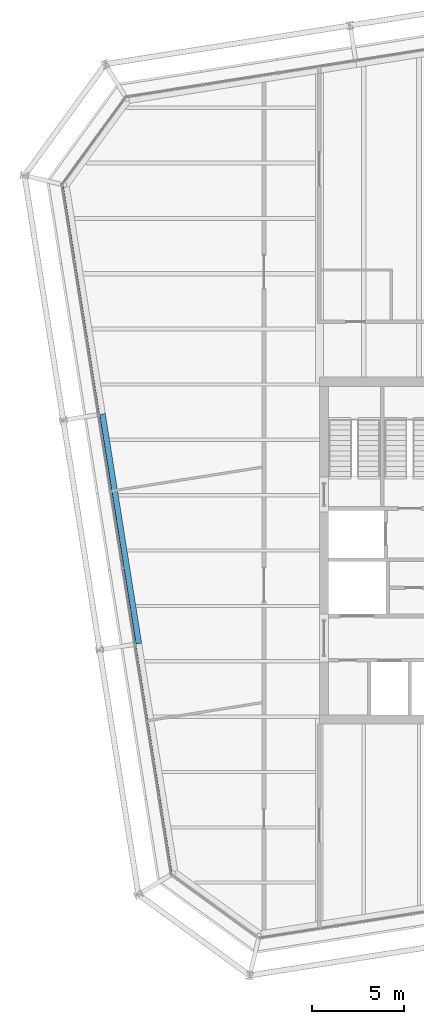
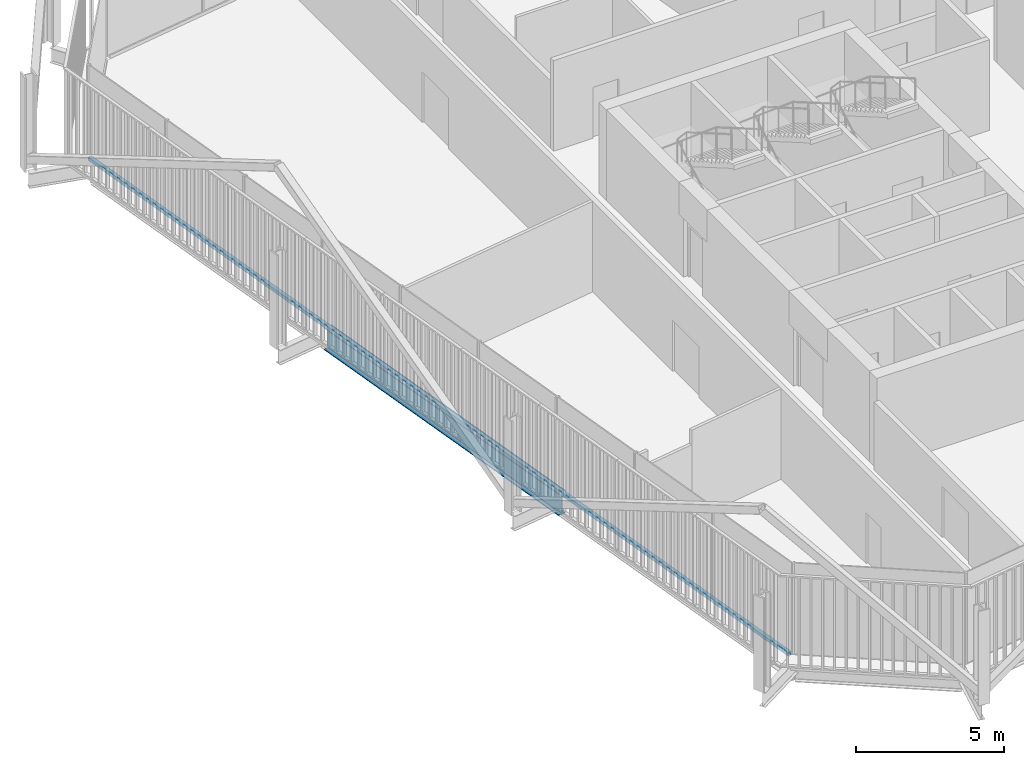
# One storey, part 6 of 21: 1 beam, 1 member, 1 element without a shape of its own.
"""IFC4 building model written with IfcOpenShell, lengths in metres."""

from ifc_helpers import new_model, si_unit, direction, frame, origin, origin_2d, place, context, subcontext, project, spatial, rectangle, i_section, extrude, material, layer, layer_set, material_profile, profile_set, type_object, element, aggregate, save


model = new_model("IFC4")

# Units and contexts
model_context = context("Model", 3, precision=1e-05, world=origin(), true_north=direction((0.0, 1.0)))
body_context = subcontext(model_context, "Body", "Model", "MODEL_VIEW")
ifc_project = project(units=[si_unit("LENGTHUNIT", "METRE"), si_unit("AREAUNIT", "SQUARE_METRE"), si_unit("VOLUMEUNIT", "CUBIC_METRE"), si_unit("PLANEANGLEUNIT", "RADIAN"), si_unit("MASSUNIT", "GRAM", prefix="KILO")], contexts=[model_context])

# Site, building, storey
site_placement = place(None, origin())
site = spatial("IfcSite", under=ifc_project, at=site_placement, CompositionType="ELEMENT")
building_placement = place(site_placement, origin())
building = spatial("IfcBuilding", under=site, at=building_placement, Name="Millrace Tower", CompositionType="ELEMENT")
storey_placement = place(building_placement, frame((0.0, 0.0, 212.5)))
storey = spatial("IfcBuildingStorey", under=building, at=storey_placement, Name="L48", CompositionType="ELEMENT", Elevation=212.5)

# Curtain wall, member
ifc_material_1 = material(Name="Aluminium and glass", Category="aluminium")
ifc_layer = layer(ifc_material_1, 0.14990234375)
ifc_layer_set = layer_set([ifc_layer], Name="Aluminium and glass")
curtain_wall_type = type_object("IfcCurtainWallType", Name="CW-1 office vision curtain wall", PredefinedType="NOTDEFINED", material=ifc_layer_set)
curtain_wall_placement = place(storey_placement, origin())
curtain_wall = element("IfcCurtainWall", 1, at=curtain_wall_placement, inside=storey, type_object=curtain_wall_type, Name="Curtain wall D-F08 L48", PredefinedType="NOTDEFINED")
ifc_material_2 = material(Name="Aluminium", Category="aluminium")
ifc_material_profile_1 = material_profile(ifc_material_2, rectangle(XDim=0.14990234375, YDim=0.139892578125, at=origin_2d()))
ifc_profile_set_1 = profile_set([ifc_material_profile_1], Name="Aluminium")
member_type = type_object("IfcMemberType", Name="CW-1 office vision curtain wall transom", PredefinedType="USERDEFINED", material=ifc_profile_set_1)
member_placement = place(storey_placement, frame((-28.331787109375, 19.708740234375, 0.070068359375), z_axis=(0.156432359726, -0.987688674042, 0.0), x_axis=(0.987688674042, 0.156432359726, 0.0)))
member = element("IfcMember", 2, at=member_placement, type_object=member_type, Name="CW1 transom D-F08.1", ObjectType="TRANSOM", PredefinedType="USERDEFINED", context=body_context, shape_type="SweptSolid", body=[
    extrude(rectangle(XDim=0.14990234375, YDim=0.139892578125, at=origin_2d()), origin(), (0.0, 0.0, 1.0), 37.599853515625),
])
aggregate(curtain_wall, [member])

# Beam
ifc_material_3 = material(Name="Steel ASTM A992 Grade 50", Category="steel")
ifc_material_profile_2 = material_profile(ifc_material_3, i_section(OverallWidth=0.307373046875, OverallDepth=0.927001953125, WebThickness=0.01953125, FlangeThickness=0.031982421875, FilletRadius=0.01904296875, at=origin_2d()))
ifc_profile_set_2 = profile_set([ifc_material_profile_2], Name="Steel ASTM A992 Grade 50")
beam_type = type_object("IfcBeamType", Name="Ring beam medium span W36x194", PredefinedType="SPANDREL", material=ifc_profile_set_2)
beam_placement = place(storey_placement, frame((-24.179443359375, -5.04638671875, -0.62353515625), z_axis=(-0.1564441342, 0.987686809102, 0.0), x_axis=(-0.987686809102, -0.1564441342, 0.0)))
element("IfcBeam", 3, at=beam_placement, inside=storey, type_object=beam_type, Name="RNG-D-L48-S1-02", PredefinedType="SPANDREL", context=body_context, shape_type="SweptSolid", body=[
    extrude(i_section(OverallWidth=0.307373046875, OverallDepth=0.927001953125, WebThickness=0.01953125, FlangeThickness=0.031982421875, FilletRadius=0.01904296875, at=origin_2d()), origin(), (0.0, 0.0, 1.0), 12.599853515625),
])

save(model, "model.ifc")
